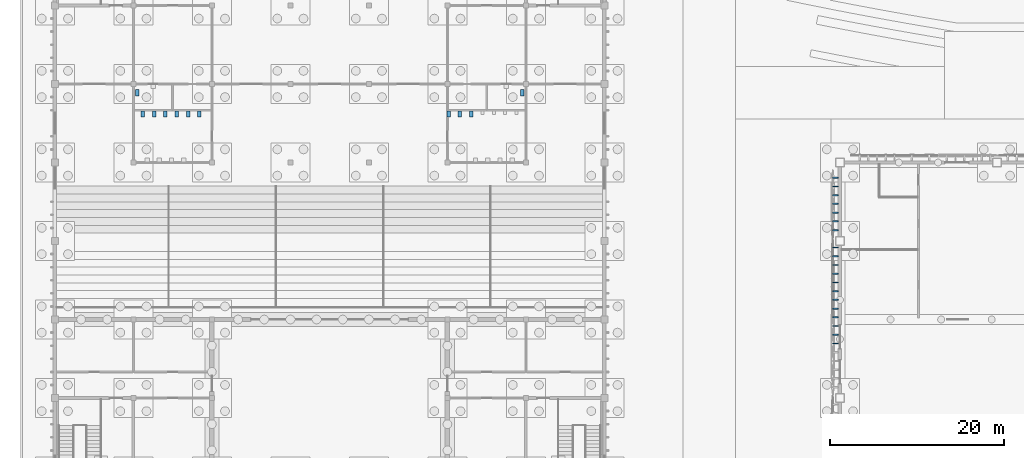
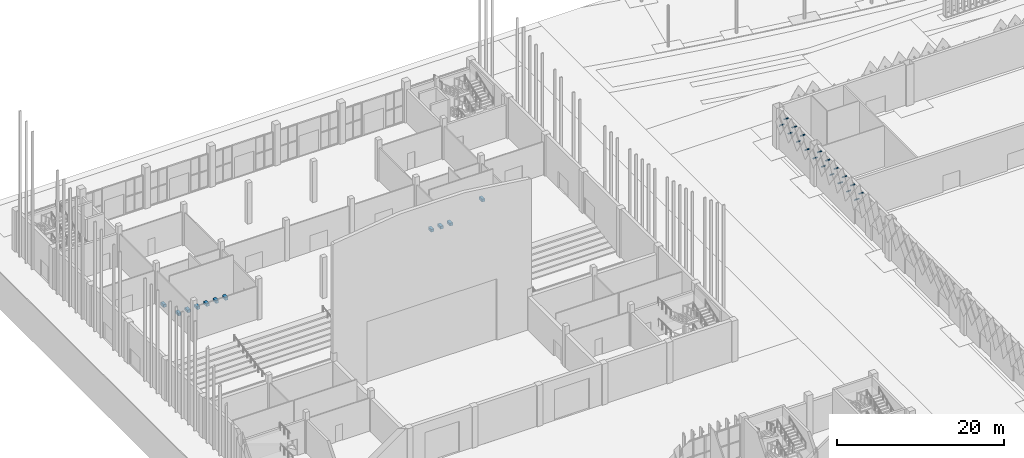
# One storey, part 121 of 198: 30 discrete accessories.
"""IFC4 building model written with IfcOpenShell, lengths in metres."""

from ifc_helpers import new_model, si_unit, direction, frame, origin, origin_2d, place, context, subcontext, project, spatial, polyline, rectangle, outline, extrude, material, type_object, element, save


model = new_model("IFC4")

# Units and contexts
model_context = context("Model", 3, precision=1e-05, world=origin(), true_north=direction((0.0, 1.0)))
body_context = subcontext(model_context, "Body", "Model", "MODEL_VIEW")
ifc_project = project(units=[si_unit("LENGTHUNIT", "METRE"), si_unit("AREAUNIT", "SQUARE_METRE"), si_unit("VOLUMEUNIT", "CUBIC_METRE"), si_unit("PLANEANGLEUNIT", "RADIAN"), si_unit("MASSUNIT", "GRAM", prefix="KILO")], contexts=[model_context])

# Site, building, storey
site_placement = place(None, origin())
site = spatial("IfcSite", under=ifc_project, at=site_placement, CompositionType="ELEMENT")
building_placement = place(site_placement, origin())
building = spatial("IfcBuilding", under=site, at=building_placement, Name="Opaline Strait Convention Centre", CompositionType="ELEMENT")
storey_placement = place(building_placement, origin())
storey = spatial("IfcBuildingStorey", under=building, at=storey_placement, Name="L00", CompositionType="ELEMENT", Elevation=0.0)

# Discrete accessories
ifc_material_1 = material(Name="Steel Q355B", Category="steel")
discrete_accessory_type_1 = type_object("IfcDiscreteAccessoryType", Name="Tile bracket 100x100 steel", PredefinedType="BRACKET", material=ifc_material_1)
for number, where, z_axis, x_axis, name in (
    (1, (98.800048828125, 151.300048828125, 4.39208984375), (0.0, -1.0, 0.0), (1.0, 0.0, 0.0), "Tile bracket XT07 W"),
    (2, (98.800048828125, 149.300048828125, 4.39208984375), (0.0, -1.0, 0.0), (1.0, 0.0, 0.0), "Tile bracket XT07 W"),
    (3, (98.800048828125, 147.300048828125, 4.39208984375), (0.0, -1.0, 0.0), (1.0, 0.0, 0.0), "Tile bracket XT07 W"),
):
    element("IfcDiscreteAccessory", number, at=place(storey_placement, frame(where, z_axis=z_axis, x_axis=x_axis)), inside=storey, type_object=discrete_accessory_type_1, Name=name, PredefinedType="BRACKET", context=body_context, shape_type="SweptSolid", body=[
        extrude(outline(polyline([(0.0, -0.050048828125), (0.0, 0.050048828125), (-0.60302734375, 0.050048828125), (-0.596923828125, -0.050048828125), (0.0, -0.050048828125)])), origin(), (0.0, 0.0, 1.0), 0.10009765625),
    ])
discrete_accessory_1_placement = place(storey_placement, frame((98.800048828125, 145.300048828125, 4.39208984375), z_axis=(0.0, -1.0, 0.0), x_axis=(1.0, 0.0, 0.0)))
element("IfcDiscreteAccessory", 4, at=discrete_accessory_1_placement, inside=storey, type_object=discrete_accessory_type_1, Name="Tile bracket XT06 W", PredefinedType="BRACKET", context=body_context, shape_type="SweptSolid", body=[
    extrude(outline(polyline([(0.0, -0.050048828125), (0.0, 0.050048828125), (-0.6025390625, 0.050048828125), (-0.597412109375, -0.050048828125), (0.0, -0.050048828125)])), origin(), (0.0, 0.0, 1.0), 0.10009765625),
])
for number, where, z_axis, x_axis, name in (
    (5, (98.800048828125, 143.300048828125, 4.39208984375), (0.0, -1.0, 0.0), (1.0, 0.0, 0.0), "Tile bracket XT04 W"),
    (6, (98.800048828125, 141.300048828125, 4.39208984375), (0.0, -1.0, 0.0), (1.0, 0.0, 0.0), "Tile bracket XT04 W"),
):
    element("IfcDiscreteAccessory", number, at=place(storey_placement, frame(where, z_axis=z_axis, x_axis=x_axis)), inside=storey, type_object=discrete_accessory_type_1, Name=name, PredefinedType="BRACKET", context=body_context, shape_type="SweptSolid", body=[
        extrude(outline(polyline([(0.0, -0.050048828125), (0.0, 0.050048828125), (-0.601806640625, 0.050048828125), (-0.59814453125, -0.050048828125), (0.0, -0.050048828125)])), origin(), (0.0, 0.0, 1.0), 0.10009765625),
    ])
discrete_accessory_2_placement = place(storey_placement, frame((98.800048828125, 139.300048828125, 4.39208984375), z_axis=(0.0, -1.0, 0.0), x_axis=(1.0, 0.0, 0.0)))
element("IfcDiscreteAccessory", 7, at=discrete_accessory_2_placement, inside=storey, type_object=discrete_accessory_type_1, Name="Tile bracket XT04 W", PredefinedType="BRACKET", context=body_context, shape_type="SweptSolid", body=[
    extrude(outline(polyline([(0.0, -0.050048828125), (0.0, 0.050048828125), (-0.59814453125, 0.050048828125), (-0.601806640625, -0.050048828125), (0.0, -0.050048828125)])), origin(), (0.0, 0.0, 1.0), 0.10009765625),
])
discrete_accessory_3_placement = place(storey_placement, frame((98.800048828125, 137.300048828125, 4.39208984375), z_axis=(0.0, -1.0, 0.0), x_axis=(1.0, 0.0, 0.0)))
element("IfcDiscreteAccessory", 8, at=discrete_accessory_3_placement, inside=storey, type_object=discrete_accessory_type_1, Name="Tile bracket XT06 W", PredefinedType="BRACKET", context=body_context, shape_type="SweptSolid", body=[
    extrude(outline(polyline([(0.0, -0.050048828125), (0.0, 0.050048828125), (-0.597412109375, 0.050048828125), (-0.6025390625, -0.050048828125), (0.0, -0.050048828125)])), origin(), (0.0, 0.0, 1.0), 0.10009765625),
])
discrete_accessory_4_placement = place(storey_placement, frame((98.800048828125, 135.300048828125, 4.39208984375), z_axis=(0.0, -1.0, 0.0), x_axis=(1.0, 0.0, 0.0)))
element("IfcDiscreteAccessory", 9, at=discrete_accessory_4_placement, inside=storey, type_object=discrete_accessory_type_1, Name="Tile bracket XT10 W", PredefinedType="BRACKET", context=body_context, shape_type="SweptSolid", body=[
    extrude(outline(polyline([(0.0, -0.050048828125), (0.0, 0.050048828125), (-0.595703125, 0.050048828125), (-0.604248046875, -0.050048828125), (0.0, -0.050048828125)])), origin(), (0.0, 0.0, 1.0), 0.10009765625),
])
discrete_accessory_5_placement = place(storey_placement, frame((98.800048828125, 133.300048828125, 4.39208984375), z_axis=(0.0, -1.0, 0.0), x_axis=(1.0, 0.0, 0.0)))
element("IfcDiscreteAccessory", 10, at=discrete_accessory_5_placement, inside=storey, type_object=discrete_accessory_type_1, Name="Tile bracket XT12 W", PredefinedType="BRACKET", context=body_context, shape_type="SweptSolid", body=[
    extrude(outline(polyline([(0.0, -0.050048828125), (0.0, 0.050048828125), (-0.5947265625, 0.050048828125), (-0.605224609375, -0.050048828125), (0.0, -0.050048828125)])), origin(), (0.0, 0.0, 1.0), 0.10009765625),
])
discrete_accessory_6_placement = place(storey_placement, frame((98.800048828125, 150.300048828125, 5.89208984375), z_axis=(0.0, -1.0, 0.0), x_axis=(1.0, 0.0, 0.0)))
element("IfcDiscreteAccessory", 11, at=discrete_accessory_6_placement, inside=storey, type_object=discrete_accessory_type_1, Name="Tile bracket XT07 W", PredefinedType="BRACKET", context=body_context, shape_type="SweptSolid", body=[
    extrude(outline(polyline([(0.0, -0.050048828125), (0.0, 0.050048828125), (-0.60302734375, 0.050048828125), (-0.596923828125, -0.050048828125), (0.0, -0.050048828125)])), origin(), (0.0, 0.0, 1.0), 0.10009765625),
])
discrete_accessory_7_placement = place(storey_placement, frame((98.800048828125, 148.300048828125, 5.89208984375), z_axis=(0.0, -1.0, 0.0), x_axis=(1.0, 0.0, 0.0)))
element("IfcDiscreteAccessory", 12, at=discrete_accessory_7_placement, inside=storey, type_object=discrete_accessory_type_1, Name="Tile bracket XT08 W", PredefinedType="BRACKET", context=body_context, shape_type="SweptSolid", body=[
    extrude(outline(polyline([(0.0, -0.050048828125), (0.0, 0.050048828125), (-0.603515625, 0.050048828125), (-0.596435546875, -0.050048828125), (0.0, -0.050048828125)])), origin(), (0.0, 0.0, 1.0), 0.10009765625),
])
discrete_accessory_8_placement = place(storey_placement, frame((98.800048828125, 146.300048828125, 5.89208984375), z_axis=(0.0, -1.0, 0.0), x_axis=(1.0, 0.0, 0.0)))
element("IfcDiscreteAccessory", 13, at=discrete_accessory_8_placement, inside=storey, type_object=discrete_accessory_type_1, Name="Tile bracket XT07 W", PredefinedType="BRACKET", context=body_context, shape_type="SweptSolid", body=[
    extrude(outline(polyline([(0.0, -0.050048828125), (0.0, 0.050048828125), (-0.60302734375, 0.050048828125), (-0.596923828125, -0.050048828125), (0.0, -0.050048828125)])), origin(), (0.0, 0.0, 1.0), 0.10009765625),
])
for number, where, z_axis, x_axis, name in (
    (14, (98.800048828125, 142.300048828125, 5.89208984375), (0.0, -1.0, 0.0), (1.0, 0.0, 0.0), "Tile bracket XT04 W"),
    (15, (98.800048828125, 140.300048828125, 5.89208984375), (0.0, -1.0, 0.0), (1.0, 0.0, 0.0), "Tile bracket XT04 W"),
):
    element("IfcDiscreteAccessory", number, at=place(storey_placement, frame(where, z_axis=z_axis, x_axis=x_axis)), inside=storey, type_object=discrete_accessory_type_1, Name=name, PredefinedType="BRACKET", context=body_context, shape_type="SweptSolid", body=[
        extrude(outline(polyline([(0.0, -0.050048828125), (0.0, 0.050048828125), (-0.601806640625, 0.050048828125), (-0.59814453125, -0.050048828125), (0.0, -0.050048828125)])), origin(), (0.0, 0.0, 1.0), 0.10009765625),
    ])
discrete_accessory_9_placement = place(storey_placement, frame((98.800048828125, 138.300048828125, 5.89208984375), z_axis=(0.0, -1.0, 0.0), x_axis=(1.0, 0.0, 0.0)))
element("IfcDiscreteAccessory", 16, at=discrete_accessory_9_placement, inside=storey, type_object=discrete_accessory_type_1, Name="Tile bracket XT04 W", PredefinedType="BRACKET", context=body_context, shape_type="SweptSolid", body=[
    extrude(outline(polyline([(0.0, -0.050048828125), (0.0, 0.050048828125), (-0.59814453125, 0.050048828125), (-0.601806640625, -0.050048828125), (0.0, -0.050048828125)])), origin(), (0.0, 0.0, 1.0), 0.10009765625),
])
discrete_accessory_10_placement = place(storey_placement, frame((98.800048828125, 136.300048828125, 5.89208984375), z_axis=(0.0, -1.0, 0.0), x_axis=(1.0, 0.0, 0.0)))
element("IfcDiscreteAccessory", 17, at=discrete_accessory_10_placement, inside=storey, type_object=discrete_accessory_type_1, Name="Tile bracket XT07 W", PredefinedType="BRACKET", context=body_context, shape_type="SweptSolid", body=[
    extrude(outline(polyline([(0.0, -0.050048828125), (0.0, 0.050048828125), (-0.596923828125, 0.050048828125), (-0.60302734375, -0.050048828125), (0.0, -0.050048828125)])), origin(), (0.0, 0.0, 1.0), 0.10009765625),
])
discrete_accessory_11_placement = place(storey_placement, frame((98.800048828125, 134.300048828125, 5.89208984375), z_axis=(0.0, -1.0, 0.0), x_axis=(1.0, 0.0, 0.0)))
element("IfcDiscreteAccessory", 18, at=discrete_accessory_11_placement, inside=storey, type_object=discrete_accessory_type_1, Name="Tile bracket XT10 W", PredefinedType="BRACKET", context=body_context, shape_type="SweptSolid", body=[
    extrude(outline(polyline([(0.0, -0.050048828125), (0.0, 0.050048828125), (-0.595703125, 0.050048828125), (-0.604248046875, -0.050048828125), (0.0, -0.050048828125)])), origin(), (0.0, 0.0, 1.0), 0.10009765625),
])
discrete_accessory_12_placement = place(storey_placement, frame((98.800048828125, 132.300048828125, 5.89208984375), z_axis=(0.0, -1.0, 0.0), x_axis=(1.0, 0.0, 0.0)))
element("IfcDiscreteAccessory", 19, at=discrete_accessory_12_placement, inside=storey, type_object=discrete_accessory_type_1, Name="Tile bracket XT12 W", PredefinedType="BRACKET", context=body_context, shape_type="SweptSolid", body=[
    extrude(outline(polyline([(0.0, -0.050048828125), (0.0, 0.050048828125), (-0.5947265625, 0.050048828125), (-0.605224609375, -0.050048828125), (0.0, -0.050048828125)])), origin(), (0.0, 0.0, 1.0), 0.10009765625),
])
ifc_material_2 = material(Name="Vitreous china, white")
discrete_accessory_type_2 = type_object("IfcDiscreteAccessoryType", Name="WC pan 400 x 700", PredefinedType="USERDEFINED", material=ifc_material_2)
for number, where, z_axis, x_axis, name in (
    (20, (19.074951171875, 158.574951171875, 0.0), (0.0, 0.0, 1.0), (1.0, 0.0, 0.0), "PFX1 wc 01"),
    (21, (20.375, 158.574951171875, 0.0), (0.0, 0.0, 1.0), (1.0, 0.0, 0.0), "PFX1 wc 02"),
    (22, (21.675048828125, 158.574951171875, 0.0), (0.0, 0.0, 1.0), (1.0, 0.0, 0.0), "PFX1 wc 03"),
    (23, (22.97509765625, 158.574951171875, 0.0), (0.0, 0.0, 1.0), (1.0, 0.0, 0.0), "PFX1 wc 04"),
    (24, (24.27490234375, 158.574951171875, 0.0), (0.0, 0.0, 1.0), (1.0, 0.0, 0.0), "PFX1 wc 05"),
    (25, (25.574951171875, 158.574951171875, 0.0), (0.0, 0.0, 1.0), (1.0, 0.0, 0.0), "PFX1 wc 06"),
    (26, (18.425048828125, 161.0, 0.0), (0.0, 0.0, 1.0), (1.0, 0.0, 0.0), "PFX1 wc A1"),
    (27, (56.72509765625, 158.574951171875, 0.0), (0.0, 0.0, 1.0), (1.0, 0.0, 0.0), "PFX1 wc 05"),
    (28, (55.425048828125, 158.574951171875, 0.0), (0.0, 0.0, 1.0), (1.0, 0.0, 0.0), "PFX1 wc 06"),
    (29, (54.125, 158.574951171875, 0.0), (0.0, 0.0, 1.0), (1.0, 0.0, 0.0), "PFX1 wc 07"),
    (30, (62.574951171875, 161.0, 0.0), (0.0, 0.0, 1.0), (1.0, 0.0, 0.0), "PFX1 wc A1"),
):
    element("IfcDiscreteAccessory", number, at=place(storey_placement, frame(where, z_axis=z_axis, x_axis=x_axis)), inside=storey, type_object=discrete_accessory_type_2, Name=name, ObjectType="SANITARY FITTING", PredefinedType="USERDEFINED", context=body_context, shape_type="SweptSolid", body=[
        extrude(rectangle(XDim=0.39990234375, YDim=0.699951171875, at=origin_2d()), origin(), (0.0, 0.0, 1.0), 0.39990234375),
    ])

save(model, "model.ifc")
